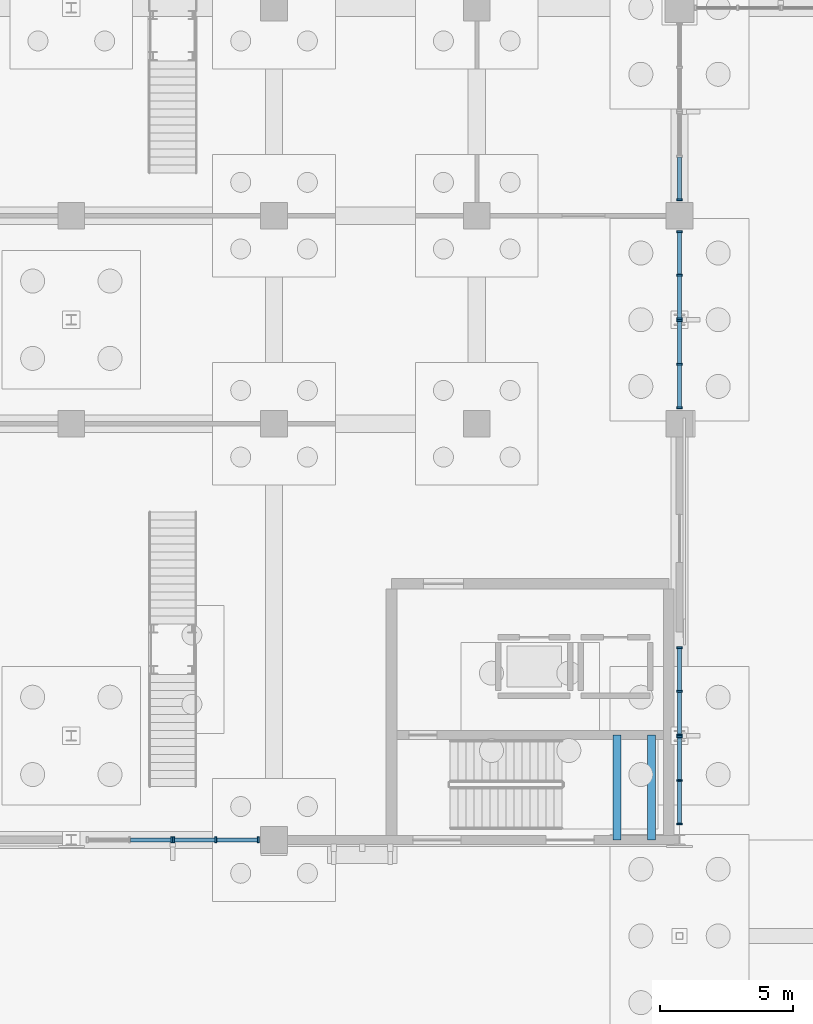
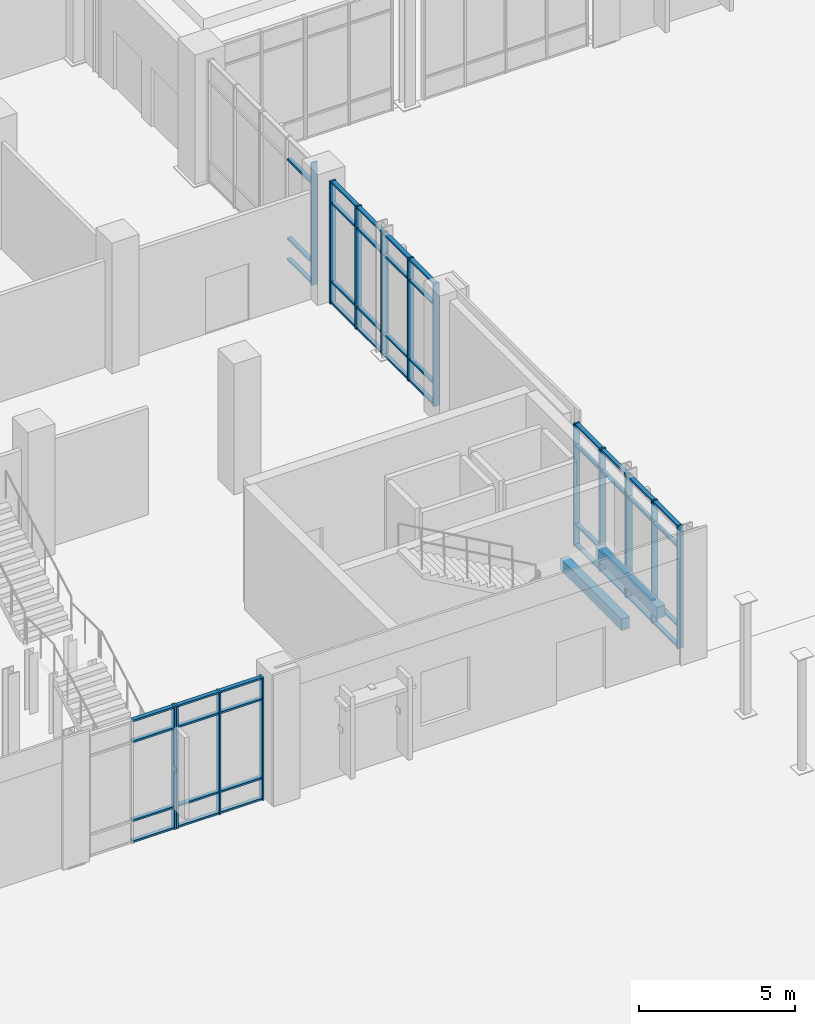
# One storey, part 46 of 94: 64 members, 2 beams, 7 elements without a shape of their own.
"""IFC4 building model written with IfcOpenShell, lengths in metres."""

import ifcopenshell
import ifcopenshell.guid

model = None  # the IFC model being written
_history = None  # IfcOwnerHistory: only IFC2X3 demands one
_inside = {}  # id of a spatial element -> (the spatial element, [elements in it])
_under = {}  # id of a project, library or spatial element -> (it, [spatial elements below it])
_declared = {}  # id of a project -> (the project, [libraries it declares])
_typed = {}  # id of a type object -> (the type object, [elements of that type])
_made_of = {}  # id of a material, layer set ... -> (it, [elements and type objects made of it])


def new_model(schema):
    """Start an empty IFC model of exactly this schema.

    Asked for "IFC4X3", IfcOpenShell would pick the latest addendum, in which some entities
    have other attributes; the version numbers below select the first issue.
    IFC2X3 requires an IfcOwnerHistory on every rooted entity: one is made here for all.
    """
    global model, _history
    if schema == "IFC4X3":
        model = ifcopenshell.file(schema_version=(4, 3, 0, 0))
    else:
        model = ifcopenshell.file(schema=schema)
    _inside.clear()
    _under.clear()
    _declared.clear()
    _typed.clear()
    _made_of.clear()
    _history = None
    if model.schema == "IFC2X3":
        org = make("IfcOrganization", Name="unknown")
        user = make(
            "IfcPersonAndOrganization",
            ThePerson=make("IfcPerson", FamilyName="unknown"),
            TheOrganization=org,
        )
        app = make(
            "IfcApplication",
            ApplicationDeveloper=org,
            Version="unknown",
            ApplicationFullName="unknown",
            ApplicationIdentifier="unknown",
        )
        _history = make(
            "IfcOwnerHistory",
            OwningUser=user,
            OwningApplication=app,
            ChangeAction="ADDED",
            CreationDate=0,
        )
    return model


def make(cls, **values):
    """One entity of the class cls with the attributes given. An attribute that is None is left unset."""
    return model.create_entity(
        cls, **{name: value for name, value in values.items() if value is not None}
    )


def rooted(cls, **values):
    """An entity with a GlobalId (a new one), such as an element, a storey or a relation."""
    return make(cls, GlobalId=ifcopenshell.guid.new(), OwnerHistory=_history, **values)


def si_unit(unit_type, name, prefix=None):
    """IfcSIUnit, for example si_unit("LENGTHUNIT", "METRE", prefix="MILLI")."""
    return make("IfcSIUnit", UnitType=unit_type, Prefix=prefix, Name=name)


def assignment(units):
    """IfcUnitAssignment: the units of a project."""
    return None if units is None else make("IfcUnitAssignment", Units=units)


def point(xyz):
    """IfcCartesianPoint."""
    return None if xyz is None else make("IfcCartesianPoint", Coordinates=xyz)


def direction(xyz):
    """IfcDirection."""
    return None if xyz is None else make("IfcDirection", DirectionRatios=xyz)


def frame(location, z_axis=None, x_axis=None):
    """IfcAxis2Placement3D, a coordinate frame: its origin and axes. An axis left out is left unset."""
    return make(
        "IfcAxis2Placement3D",
        Location=point(location),
        Axis=direction(z_axis),
        RefDirection=direction(x_axis),
    )


def frame_2d(location, x_axis=None):
    """IfcAxis2Placement2D, a coordinate frame in the plane: its origin and x axis."""
    return make(
        "IfcAxis2Placement2D", Location=point(location), RefDirection=direction(x_axis)
    )


def origin():
    """The frame at (0, 0, 0) with its axes left unset."""
    return frame((0.0, 0.0, 0.0))


def origin_2d():
    """The frame at (0, 0) in the plane with its x axis left unset."""
    return frame_2d((0.0, 0.0))


def place(relative_to, where):
    """IfcLocalPlacement: puts the frame where relative to a parent placement (None: the world)."""
    return make(
        "IfcLocalPlacement", PlacementRelTo=relative_to, RelativePlacement=where
    )


def context(
    kind, dimensions, precision=None, world=None, true_north=None, identifier=None
):
    """IfcGeometricRepresentationContext, for example the 3D "Model" context."""
    return make(
        "IfcGeometricRepresentationContext",
        ContextIdentifier=identifier,
        ContextType=kind,
        CoordinateSpaceDimension=dimensions,
        Precision=precision,
        WorldCoordinateSystem=world,
        TrueNorth=true_north,
    )


def subcontext(parent, identifier, kind, view, scale=None):
    """IfcGeometricRepresentationSubContext, for example "Body" below "Model"."""
    return make(
        "IfcGeometricRepresentationSubContext",
        ContextIdentifier=identifier,
        ContextType=kind,
        ParentContext=parent,
        TargetScale=scale,
        TargetView=view,
    )


def project(units=None, contexts=None):
    """IfcProject with its units and contexts."""
    return rooted(
        "IfcProject",
        Name="project",
        RepresentationContexts=contexts,
        UnitsInContext=assignment(units),
    )


def spatial(cls, under=None, at=None, **own):
    """A site, building, storey or space (cls), placed at a placement, below another one or the project."""
    s = rooted(cls, ObjectPlacement=at, **own)
    if under is not None:
        _under.setdefault(under.id(), (under, []))[1].append(s)
    return s


def profile(cls, at=None, kind="AREA", **sizes):
    """A parametric profile (cls). Its sizes go by their IFC names, for example OverallWidth=200.0."""
    return make(cls, ProfileType=kind, Position=at, **sizes)


def rectangle(**sizes):
    """IfcRectangleProfileDef."""
    return profile("IfcRectangleProfileDef", **sizes)


def extrude(swept, where, along, depth):
    """IfcExtrudedAreaSolid: the profile swept, set in the frame where, extruded along a direction by depth."""
    return make(
        "IfcExtrudedAreaSolid",
        SweptArea=swept,
        Position=where,
        ExtrudedDirection=direction(along),
        Depth=depth,
    )


def shape(context_of_items, identifier, shape_type, items):
    """IfcShapeRepresentation: the items that make up one representation, for example the "Body"."""
    return make(
        "IfcShapeRepresentation",
        ContextOfItems=context_of_items,
        RepresentationIdentifier=identifier,
        RepresentationType=shape_type,
        Items=items,
    )


def material(Name=None, Category=None):
    """IfcMaterial."""
    return make("IfcMaterial", Name=Name, Category=Category)


def material_profile(
    of_material, cross_section, Name=None, Category=None, Priority=None
):
    """IfcMaterialProfile: a cross section and its material."""
    return make(
        "IfcMaterialProfile",
        Name=Name,
        Material=of_material,
        Profile=cross_section,
        Priority=Priority,
        Category=Category,
    )


def profile_set(profiles, Name=None, composite=None):
    """IfcMaterialProfileSet."""
    return make(
        "IfcMaterialProfileSet",
        Name=Name,
        MaterialProfiles=profiles,
        CompositeProfile=composite,
    )


def made_of(thing, what):
    """Note that an element or type object is made of a material, layer set ...; save() writes the relation."""
    if what is not None:
        _made_of.setdefault(what.id(), (what, []))[1].append(thing)
    return thing


def type_object(cls, material=None, **own):
    """A type object (cls), such as IfcWallType, which elements share."""
    return made_of(rooted(cls, **own), material)


def element(
    cls,
    number,
    at=None,
    inside=None,
    cuts=None,
    type_object=None,
    material=None,
    context=None,
    identifier="Body",
    shape_type=None,
    held_by="IfcProductDefinitionShape",
    body=None,
    shapes=None,
    **own,
):
    """One element of the class cls, such as IfcWall. Its Tag is "e" and its number.

    at: its placement. inside: the storey or other place that contains it. cuts: it is an
    opening in that element (IfcRelVoidsElement). A single representation is given by context,
    identifier, shape_type and body (its items); several are given by shapes. held_by: the class
    of the entity that holds the representations. save() writes the other relations.
    """
    e = rooted(cls, Tag="e%d" % number, ObjectPlacement=at, **own)
    if body is not None:
        shapes = [shape(context, identifier, shape_type, body)]
    if shapes is not None:
        e.Representation = make(held_by, Representations=shapes)
    if inside is not None:
        _inside.setdefault(inside.id(), (inside, []))[1].append(e)
    if cuts is not None:
        rooted(
            "IfcRelVoidsElement", RelatingBuildingElement=cuts, RelatedOpeningElement=e
        )
    if type_object is not None:
        _typed.setdefault(type_object.id(), (type_object, []))[1].append(e)
    return made_of(e, material)


def aggregate(whole, parts):
    """IfcRelAggregates: a whole, such as a stair, and the parts it consists of."""
    return rooted("IfcRelAggregates", RelatingObject=whole, RelatedObjects=parts)


def save(model, path):
    """Write the relations noted so far, then the file.

    IfcRelAggregates (storeys below a building ...), IfcRelContainedInSpatialStructure (elements
    in a storey), IfcRelDefinesByType, IfcRelAssociatesMaterial and IfcRelDeclares: one each for
    every whole, place, type object, material and project.
    """
    for whole, parts in _under.values():
        aggregate(whole, parts)
    for where, things in _inside.values():
        rooted(
            "IfcRelContainedInSpatialStructure",
            RelatedElements=things,
            RelatingStructure=where,
        )
    for kind, things in _typed.values():
        rooted("IfcRelDefinesByType", RelatedObjects=things, RelatingType=kind)
    for what, things in _made_of.values():
        rooted("IfcRelAssociatesMaterial", RelatedObjects=things, RelatingMaterial=what)
    for by, libraries in _declared.values():
        rooted("IfcRelDeclares", RelatingContext=by, RelatedDefinitions=libraries)
    model.write(path)


model = new_model("IFC4")

# Units and contexts
model_context = context("Model", 3, precision=1e-05, world=origin(), true_north=direction((0.0, 1.0)))
body_context = subcontext(model_context, "Body", "Model", "MODEL_VIEW")
ifc_project = project(units=[si_unit("LENGTHUNIT", "METRE"), si_unit("AREAUNIT", "SQUARE_METRE"), si_unit("VOLUMEUNIT", "CUBIC_METRE"), si_unit("PLANEANGLEUNIT", "RADIAN"), si_unit("MASSUNIT", "GRAM", prefix="KILO")], contexts=[model_context])

# Site, building, storey
site_placement = place(None, origin())
site = spatial("IfcSite", under=ifc_project, at=site_placement, CompositionType="ELEMENT")
building_placement = place(site_placement, origin())
building = spatial("IfcBuilding", under=site, at=building_placement, Name="Vervanel Yard Central Library", CompositionType="ELEMENT")
storey_placement = place(building_placement, origin())
storey = spatial("IfcBuildingStorey", under=building, at=storey_placement, Name="L00", CompositionType="ELEMENT", Elevation=0.0)

# Beams
ifc_material_1 = material(Name="Concrete C40/50", Category="concrete")
ifc_material_profile_1 = material_profile(ifc_material_1, rectangle(XDim=0.300048828125, YDim=0.449951171875, at=origin_2d()), Name="RC 300x450", Category="concrete")
ifc_profile_set_1 = profile_set([ifc_material_profile_1], Name="Concrete C40/50")
beam_type = type_object("IfcBeamType", Name="Concrete Opening Lintel 300x450", PredefinedType="LINTEL", material=ifc_profile_set_1)
for number, where, z_axis, x_axis, name in (
    (1, (143.64990234375, 43.199951171875, 2.125), (0.0, 1.0, 0.0), (-1.0, 0.0, 0.0), "L00 CORE-E Stair Landing Beam 35"),
    (2, (144.949951171875, 43.199951171875, 2.125), (0.0, 1.0, 0.0), (-1.0, 0.0, 0.0), "L00 CORE-E Stair Landing Beam 36"),
):
    element("IfcBeam", number, at=place(storey_placement, frame(where, z_axis=z_axis, x_axis=x_axis)), inside=storey, type_object=beam_type, Name=name, PredefinedType="LINTEL", context=body_context, shape_type="SweptSolid", body=[
        extrude(rectangle(XDim=0.300048828125, YDim=0.449951171875, at=origin_2d()), origin(), (0.0, 0.0, 1.0), 3.93505859375),
    ])

# Curtain wall, member
ifc_material_2 = material(Name="Thermally broken anodized aluminium 6063-T6", Category="aluminium")
curtain_wall_type_1 = type_object("IfcCurtainWallType", Name="Reading Hall Full-Height Curtain Wall", PredefinedType="NOTDEFINED", material=ifc_material_2)
curtain_wall_1_placement = place(storey_placement, origin())
curtain_wall_1 = element("IfcCurtainWall", 3, at=curtain_wall_1_placement, inside=storey, type_object=curtain_wall_type_1, Name="L00 Reading Hall Full-Height Curtain Wall CWR-L00-058", PredefinedType="NOTDEFINED")
ifc_material_profile_2 = material_profile(ifc_material_2, rectangle(XDim=0.070068359375, YDim=0.219970703125, at=origin_2d()), Name="ALU 70x220", Category="aluminium")
ifc_profile_set_2 = profile_set([ifc_material_profile_2], Name="Thermally broken anodized aluminium 6063-T6")
member_type_1 = type_object("IfcMemberType", Name="Reading Hall Deep Mullion 70x220", PredefinedType="MULLION", material=ifc_profile_set_2)
member_1_placement = place(storey_placement, frame((126.965087890625, 43.199951171875, 0.0), z_axis=(0.0, 0.0, 1.0), x_axis=(1.0, 0.0, 0.0)))
member_1 = element("IfcMember", 4, at=member_1_placement, type_object=member_type_1, Name="CWR-L00-058 Mullion 3", PredefinedType="MULLION", context=body_context, shape_type="SweptSolid", body=[
    extrude(rectangle(XDim=0.070068359375, YDim=0.219970703125, at=origin_2d()), origin(), (0.0, 0.0, 1.0), 4.780029296875),
])

# Curtain wall, members
curtain_wall_2_placement = place(storey_placement, origin())
curtain_wall_2 = element("IfcCurtainWall", 5, at=curtain_wall_2_placement, inside=storey, type_object=curtain_wall_type_1, Name="L00 Reading Hall Full-Height Curtain Wall CWR-L00-059", PredefinedType="NOTDEFINED")
member_2_placement = place(storey_placement, frame((127.034912109375, 43.199951171875, 0.0), z_axis=(0.0, 0.0, 1.0), x_axis=(1.0, 0.0, 0.0)))
member_2 = element("IfcMember", 6, at=member_2_placement, type_object=member_type_1, Name="CWR-L00-059 Mullion 1", PredefinedType="MULLION", context=body_context, shape_type="SweptSolid", body=[
    extrude(rectangle(XDim=0.070068359375, YDim=0.219970703125, at=origin_2d()), origin(), (0.0, 0.0, 1.0), 4.780029296875),
])
member_3_placement = place(storey_placement, frame((128.6201171875, 43.199951171875, 0.0), z_axis=(0.0, 0.0, 1.0), x_axis=(1.0, 0.0, 0.0)))
member_3 = element("IfcMember", 7, at=member_3_placement, type_object=member_type_1, Name="CWR-L00-059 Mullion 2", PredefinedType="MULLION", context=body_context, shape_type="SweptSolid", body=[
    extrude(rectangle(XDim=0.070068359375, YDim=0.219970703125, at=origin_2d()), origin(), (0.0, 0.0, 1.0), 4.780029296875),
])
member_4_placement = place(storey_placement, frame((130.205078125, 43.199951171875, 0.0), z_axis=(0.0, 0.0, 1.0), x_axis=(1.0, 0.0, 0.0)))
member_4 = element("IfcMember", 8, at=member_4_placement, type_object=member_type_1, Name="CWR-L00-059 Mullion 3", PredefinedType="MULLION", context=body_context, shape_type="SweptSolid", body=[
    extrude(rectangle(XDim=0.070068359375, YDim=0.219970703125, at=origin_2d()), origin(), (0.0, 0.0, 1.0), 4.780029296875),
])

curtain_wall_type_2 = type_object("IfcCurtainWallType", Name="Prow Cantilever Glazed Curtain Wall", PredefinedType="NOTDEFINED", material=ifc_material_2)
curtain_wall_3_placement = place(storey_placement, origin())
curtain_wall_3 = element("IfcCurtainWall", 9, at=curtain_wall_3_placement, inside=storey, type_object=curtain_wall_type_2, Name="L00 Prow Cantilever Glazed Curtain Wall CWR-L00-118", PredefinedType="NOTDEFINED")
member_5_placement = place(storey_placement, frame((146.0, 43.794921875, 0.0), z_axis=(0.0, 0.0, 1.0), x_axis=(0.0, 1.0, 0.0)))
member_5 = element("IfcMember", 10, at=member_5_placement, type_object=member_type_1, Name="CWR-L00-118 Mullion 1", PredefinedType="MULLION", context=body_context, shape_type="SweptSolid", body=[
    extrude(rectangle(XDim=0.070068359375, YDim=0.219970703125, at=origin_2d()), origin(), (0.0, 0.0, 1.0), 4.780029296875),
])
member_6_placement = place(storey_placement, frame((146.0, 45.429931640625, 0.0), z_axis=(0.0, 0.0, 1.0), x_axis=(0.0, 1.0, 0.0)))
member_6 = element("IfcMember", 11, at=member_6_placement, type_object=member_type_1, Name="CWR-L00-118 Mullion 2", PredefinedType="MULLION", context=body_context, shape_type="SweptSolid", body=[
    extrude(rectangle(XDim=0.070068359375, YDim=0.219970703125, at=origin_2d()), origin(), (0.0, 0.0, 1.0), 4.780029296875),
])
member_7_placement = place(storey_placement, frame((146.0, 47.06494140625, 0.0), z_axis=(0.0, 0.0, 1.0), x_axis=(0.0, 1.0, 0.0)))
member_7 = element("IfcMember", 12, at=member_7_placement, type_object=member_type_1, Name="CWR-L00-118 Mullion 3", PredefinedType="MULLION", context=body_context, shape_type="SweptSolid", body=[
    extrude(rectangle(XDim=0.070068359375, YDim=0.219970703125, at=origin_2d()), origin(), (0.0, 0.0, 1.0), 4.780029296875),
])

curtain_wall_4_placement = place(storey_placement, origin())
curtain_wall_4 = element("IfcCurtainWall", 13, at=curtain_wall_4_placement, inside=storey, type_object=curtain_wall_type_2, Name="L00 Prow Cantilever Glazed Curtain Wall CWR-L00-119", PredefinedType="NOTDEFINED")
member_8_placement = place(storey_placement, frame((146.0, 47.135009765625, 0.0), z_axis=(0.0, 0.0, 1.0), x_axis=(0.0, 1.0, 0.0)))
member_8 = element("IfcMember", 14, at=member_8_placement, type_object=member_type_1, Name="CWR-L00-119 Mullion 1", PredefinedType="MULLION", context=body_context, shape_type="SweptSolid", body=[
    extrude(rectangle(XDim=0.070068359375, YDim=0.219970703125, at=origin_2d()), origin(), (0.0, 0.0, 1.0), 4.780029296875),
])
member_9_placement = place(storey_placement, frame((146.0, 48.77001953125, 0.0), z_axis=(0.0, 0.0, 1.0), x_axis=(0.0, 1.0, 0.0)))
member_9 = element("IfcMember", 15, at=member_9_placement, type_object=member_type_1, Name="CWR-L00-119 Mullion 2", PredefinedType="MULLION", context=body_context, shape_type="SweptSolid", body=[
    extrude(rectangle(XDim=0.070068359375, YDim=0.219970703125, at=origin_2d()), origin(), (0.0, 0.0, 1.0), 4.780029296875),
])
member_10_placement = place(storey_placement, frame((146.0, 50.405029296875, 0.0), z_axis=(0.0, 0.0, 1.0), x_axis=(0.0, 1.0, 0.0)))
member_10 = element("IfcMember", 16, at=member_10_placement, type_object=member_type_1, Name="CWR-L00-119 Mullion 3", PredefinedType="MULLION", context=body_context, shape_type="SweptSolid", body=[
    extrude(rectangle(XDim=0.070068359375, YDim=0.219970703125, at=origin_2d()), origin(), (0.0, 0.0, 1.0), 4.780029296875),
])

curtain_wall_5_placement = place(storey_placement, origin())
curtain_wall_5 = element("IfcCurtainWall", 17, at=curtain_wall_5_placement, inside=storey, type_object=curtain_wall_type_2, Name="L00 Prow Cantilever Glazed Curtain Wall CWR-L00-120", PredefinedType="NOTDEFINED")
member_11_placement = place(storey_placement, frame((146.0, 59.39501953125, 0.0), z_axis=(0.0, 0.0, 1.0), x_axis=(0.0, 1.0, 0.0)))
member_11 = element("IfcMember", 18, at=member_11_placement, type_object=member_type_1, Name="CWR-L00-120 Mullion 1", PredefinedType="MULLION", context=body_context, shape_type="SweptSolid", body=[
    extrude(rectangle(XDim=0.070068359375, YDim=0.219970703125, at=origin_2d()), origin(), (0.0, 0.0, 1.0), 4.780029296875),
])
member_12_placement = place(storey_placement, frame((146.0, 61.030029296875, 0.0), z_axis=(0.0, 0.0, 1.0), x_axis=(0.0, 1.0, 0.0)))
member_12 = element("IfcMember", 19, at=member_12_placement, type_object=member_type_1, Name="CWR-L00-120 Mullion 2", PredefinedType="MULLION", context=body_context, shape_type="SweptSolid", body=[
    extrude(rectangle(XDim=0.070068359375, YDim=0.219970703125, at=origin_2d()), origin(), (0.0, 0.0, 1.0), 4.780029296875),
])
member_13_placement = place(storey_placement, frame((146.0, 62.6650390625, 0.0), z_axis=(0.0, 0.0, 1.0), x_axis=(0.0, 1.0, 0.0)))
member_13 = element("IfcMember", 20, at=member_13_placement, type_object=member_type_1, Name="CWR-L00-120 Mullion 3", PredefinedType="MULLION", context=body_context, shape_type="SweptSolid", body=[
    extrude(rectangle(XDim=0.070068359375, YDim=0.219970703125, at=origin_2d()), origin(), (0.0, 0.0, 1.0), 4.780029296875),
])

curtain_wall_6_placement = place(storey_placement, origin())
curtain_wall_6 = element("IfcCurtainWall", 21, at=curtain_wall_6_placement, inside=storey, type_object=curtain_wall_type_2, Name="L00 Prow Cantilever Glazed Curtain Wall CWR-L00-121", PredefinedType="NOTDEFINED")
member_14_placement = place(storey_placement, frame((146.0, 62.735107421875, 0.0), z_axis=(0.0, 0.0, 1.0), x_axis=(0.0, 1.0, 0.0)))
member_14 = element("IfcMember", 22, at=member_14_placement, type_object=member_type_1, Name="CWR-L00-121 Mullion 1", PredefinedType="MULLION", context=body_context, shape_type="SweptSolid", body=[
    extrude(rectangle(XDim=0.070068359375, YDim=0.219970703125, at=origin_2d()), origin(), (0.0, 0.0, 1.0), 4.780029296875),
])
member_15_placement = place(storey_placement, frame((146.0, 64.3701171875, 0.0), z_axis=(0.0, 0.0, 1.0), x_axis=(0.0, 1.0, 0.0)))
member_15 = element("IfcMember", 23, at=member_15_placement, type_object=member_type_1, Name="CWR-L00-121 Mullion 2", PredefinedType="MULLION", context=body_context, shape_type="SweptSolid", body=[
    extrude(rectangle(XDim=0.070068359375, YDim=0.219970703125, at=origin_2d()), origin(), (0.0, 0.0, 1.0), 4.780029296875),
])
member_16_placement = place(storey_placement, frame((146.0, 66.0048828125, 0.0), z_axis=(0.0, 0.0, 1.0), x_axis=(0.0, 1.0, 0.0)))
member_16 = element("IfcMember", 24, at=member_16_placement, type_object=member_type_1, Name="CWR-L00-121 Mullion 3", PredefinedType="MULLION", context=body_context, shape_type="SweptSolid", body=[
    extrude(rectangle(XDim=0.070068359375, YDim=0.219970703125, at=origin_2d()), origin(), (0.0, 0.0, 1.0), 4.780029296875),
])

# Curtain wall, member
curtain_wall_7_placement = place(storey_placement, origin())
curtain_wall_7 = element("IfcCurtainWall", 25, at=curtain_wall_7_placement, inside=storey, type_object=curtain_wall_type_2, Name="L00 Prow Cantilever Glazed Curtain Wall CWR-L00-122", PredefinedType="NOTDEFINED")
member_17_placement = place(storey_placement, frame((146.0, 67.195068359375, 0.0), z_axis=(0.0, 0.0, 1.0), x_axis=(0.0, 1.0, 0.0)))
member_17 = element("IfcMember", 26, at=member_17_placement, type_object=member_type_1, Name="CWR-L00-122 Mullion 1", PredefinedType="MULLION", context=body_context, shape_type="SweptSolid", body=[
    extrude(rectangle(XDim=0.070068359375, YDim=0.219970703125, at=origin_2d()), origin(), (0.0, 0.0, 1.0), 4.780029296875),
])

# Member
ifc_material_profile_3 = material_profile(ifc_material_2, rectangle(XDim=0.070068359375, YDim=0.14990234375, at=origin_2d()), Name="ALU 70x150", Category="aluminium")
ifc_profile_set_3 = profile_set([ifc_material_profile_3], Name="Thermally broken anodized aluminium 6063-T6")
member_type_2 = type_object("IfcMemberType", Name="Reading Hall Deep Transom 70x150", PredefinedType="NOTDEFINED", material=ifc_profile_set_3)
member_18_placement = place(storey_placement, frame((125.4150390625, 43.199951171875, 0.034912109375), z_axis=(1.0, 0.0, 0.0), x_axis=(0.0, 0.0, 1.0)))
member_18 = element("IfcMember", 27, at=member_18_placement, type_object=member_type_2, Name="CWR-L00-058 Transom B2-T1", ObjectType="TRANSOM", PredefinedType="USERDEFINED", context=body_context, shape_type="SweptSolid", body=[
    extrude(rectangle(XDim=0.070068359375, YDim=0.14990234375, at=origin_2d()), origin(), (0.0, 0.0, 1.0), 1.514892578125),
])

member_19_placement = place(storey_placement, frame((125.4150390625, 43.199951171875, 0.85009765625), z_axis=(1.0, 0.0, 0.0), x_axis=(0.0, 0.0, 1.0)))
member_19 = element("IfcMember", 28, at=member_19_placement, type_object=member_type_2, Name="CWR-L00-058 Transom B2-T2", ObjectType="TRANSOM", PredefinedType="USERDEFINED", context=body_context, shape_type="SweptSolid", body=[
    extrude(rectangle(XDim=0.070068359375, YDim=0.14990234375, at=origin_2d()), origin(), (0.0, 0.0, 1.0), 1.514892578125),
])

member_20_placement = place(storey_placement, frame((125.4150390625, 43.199951171875, 3.929931640625), z_axis=(1.0, 0.0, 0.0), x_axis=(0.0, 0.0, 1.0)))
member_20 = element("IfcMember", 29, at=member_20_placement, type_object=member_type_2, Name="CWR-L00-058 Transom B2-T3", ObjectType="TRANSOM", PredefinedType="USERDEFINED", context=body_context, shape_type="SweptSolid", body=[
    extrude(rectangle(XDim=0.070068359375, YDim=0.14990234375, at=origin_2d()), origin(), (0.0, 0.0, 1.0), 1.514892578125),
])

member_21_placement = place(storey_placement, frame((125.4150390625, 43.199951171875, 4.7451171875), z_axis=(1.0, 0.0, 0.0), x_axis=(0.0, 0.0, 1.0)))
member_21 = element("IfcMember", 30, at=member_21_placement, type_object=member_type_2, Name="CWR-L00-058 Transom B2-T4", ObjectType="TRANSOM", PredefinedType="USERDEFINED", context=body_context, shape_type="SweptSolid", body=[
    extrude(rectangle(XDim=0.070068359375, YDim=0.14990234375, at=origin_2d()), origin(), (0.0, 0.0, 1.0), 1.514892578125),
])

aggregate(curtain_wall_1, [member_1, member_18, member_19, member_20, member_21])

member_22_placement = place(storey_placement, frame((127.070068359375, 43.199951171875, 0.034912109375), z_axis=(1.0, 0.0, 0.0), x_axis=(0.0, 0.0, 1.0)))
member_22 = element("IfcMember", 31, at=member_22_placement, type_object=member_type_2, Name="CWR-L00-059 Transom B1-T1", ObjectType="TRANSOM", PredefinedType="USERDEFINED", context=body_context, shape_type="SweptSolid", body=[
    extrude(rectangle(XDim=0.070068359375, YDim=0.14990234375, at=origin_2d()), origin(), (0.0, 0.0, 1.0), 1.514892578125),
])

member_23_placement = place(storey_placement, frame((127.070068359375, 43.199951171875, 0.85009765625), z_axis=(1.0, 0.0, 0.0), x_axis=(0.0, 0.0, 1.0)))
member_23 = element("IfcMember", 32, at=member_23_placement, type_object=member_type_2, Name="CWR-L00-059 Transom B1-T2", ObjectType="TRANSOM", PredefinedType="USERDEFINED", context=body_context, shape_type="SweptSolid", body=[
    extrude(rectangle(XDim=0.070068359375, YDim=0.14990234375, at=origin_2d()), origin(), (0.0, 0.0, 1.0), 1.514892578125),
])

member_24_placement = place(storey_placement, frame((127.070068359375, 43.199951171875, 3.929931640625), z_axis=(1.0, 0.0, 0.0), x_axis=(0.0, 0.0, 1.0)))
member_24 = element("IfcMember", 33, at=member_24_placement, type_object=member_type_2, Name="CWR-L00-059 Transom B1-T3", ObjectType="TRANSOM", PredefinedType="USERDEFINED", context=body_context, shape_type="SweptSolid", body=[
    extrude(rectangle(XDim=0.070068359375, YDim=0.14990234375, at=origin_2d()), origin(), (0.0, 0.0, 1.0), 1.514892578125),
])

member_25_placement = place(storey_placement, frame((127.070068359375, 43.199951171875, 4.7451171875), z_axis=(1.0, 0.0, 0.0), x_axis=(0.0, 0.0, 1.0)))
member_25 = element("IfcMember", 34, at=member_25_placement, type_object=member_type_2, Name="CWR-L00-059 Transom B1-T4", ObjectType="TRANSOM", PredefinedType="USERDEFINED", context=body_context, shape_type="SweptSolid", body=[
    extrude(rectangle(XDim=0.070068359375, YDim=0.14990234375, at=origin_2d()), origin(), (0.0, 0.0, 1.0), 1.514892578125),
])

member_26_placement = place(storey_placement, frame((128.655029296875, 43.199951171875, 0.034912109375), z_axis=(1.0, 0.0, 0.0), x_axis=(0.0, 0.0, 1.0)))
member_26 = element("IfcMember", 35, at=member_26_placement, type_object=member_type_2, Name="CWR-L00-059 Transom B2-T1", ObjectType="TRANSOM", PredefinedType="USERDEFINED", context=body_context, shape_type="SweptSolid", body=[
    extrude(rectangle(XDim=0.070068359375, YDim=0.14990234375, at=origin_2d()), origin(), (0.0, 0.0, 1.0), 1.514892578125),
])

member_27_placement = place(storey_placement, frame((128.655029296875, 43.199951171875, 0.85009765625), z_axis=(1.0, 0.0, 0.0), x_axis=(0.0, 0.0, 1.0)))
member_27 = element("IfcMember", 36, at=member_27_placement, type_object=member_type_2, Name="CWR-L00-059 Transom B2-T2", ObjectType="TRANSOM", PredefinedType="USERDEFINED", context=body_context, shape_type="SweptSolid", body=[
    extrude(rectangle(XDim=0.070068359375, YDim=0.14990234375, at=origin_2d()), origin(), (0.0, 0.0, 1.0), 1.514892578125),
])

member_28_placement = place(storey_placement, frame((128.655029296875, 43.199951171875, 3.929931640625), z_axis=(1.0, 0.0, 0.0), x_axis=(0.0, 0.0, 1.0)))
member_28 = element("IfcMember", 37, at=member_28_placement, type_object=member_type_2, Name="CWR-L00-059 Transom B2-T3", ObjectType="TRANSOM", PredefinedType="USERDEFINED", context=body_context, shape_type="SweptSolid", body=[
    extrude(rectangle(XDim=0.070068359375, YDim=0.14990234375, at=origin_2d()), origin(), (0.0, 0.0, 1.0), 1.514892578125),
])

member_29_placement = place(storey_placement, frame((128.655029296875, 43.199951171875, 4.7451171875), z_axis=(1.0, 0.0, 0.0), x_axis=(0.0, 0.0, 1.0)))
member_29 = element("IfcMember", 38, at=member_29_placement, type_object=member_type_2, Name="CWR-L00-059 Transom B2-T4", ObjectType="TRANSOM", PredefinedType="USERDEFINED", context=body_context, shape_type="SweptSolid", body=[
    extrude(rectangle(XDim=0.070068359375, YDim=0.14990234375, at=origin_2d()), origin(), (0.0, 0.0, 1.0), 1.514892578125),
])

aggregate(curtain_wall_2, [member_2, member_3, member_4, member_22, member_23, member_24, member_25, member_26, member_27, member_28, member_29])

member_30_placement = place(storey_placement, frame((146.0, 43.830078125, 0.034912109375), z_axis=(0.0, 1.0, 0.0), x_axis=(0.0, 0.0, 1.0)))
member_30 = element("IfcMember", 39, at=member_30_placement, type_object=member_type_2, Name="CWR-L00-118 Transom B1-T1", ObjectType="TRANSOM", PredefinedType="USERDEFINED", context=body_context, shape_type="SweptSolid", body=[
    extrude(rectangle(XDim=0.070068359375, YDim=0.14990234375, at=origin_2d()), origin(), (0.0, 0.0, 1.0), 1.56494140625),
])

member_31_placement = place(storey_placement, frame((146.0, 43.830078125, 0.85009765625), z_axis=(0.0, 1.0, 0.0), x_axis=(0.0, 0.0, 1.0)))
member_31 = element("IfcMember", 40, at=member_31_placement, type_object=member_type_2, Name="CWR-L00-118 Transom B1-T2", ObjectType="TRANSOM", PredefinedType="USERDEFINED", context=body_context, shape_type="SweptSolid", body=[
    extrude(rectangle(XDim=0.070068359375, YDim=0.14990234375, at=origin_2d()), origin(), (0.0, 0.0, 1.0), 1.56494140625),
])

member_32_placement = place(storey_placement, frame((146.0, 43.830078125, 3.929931640625), z_axis=(0.0, 1.0, 0.0), x_axis=(0.0, 0.0, 1.0)))
member_32 = element("IfcMember", 41, at=member_32_placement, type_object=member_type_2, Name="CWR-L00-118 Transom B1-T3", ObjectType="TRANSOM", PredefinedType="USERDEFINED", context=body_context, shape_type="SweptSolid", body=[
    extrude(rectangle(XDim=0.070068359375, YDim=0.14990234375, at=origin_2d()), origin(), (0.0, 0.0, 1.0), 1.56494140625),
])

member_33_placement = place(storey_placement, frame((146.0, 43.830078125, 4.7451171875), z_axis=(0.0, 1.0, 0.0), x_axis=(0.0, 0.0, 1.0)))
member_33 = element("IfcMember", 42, at=member_33_placement, type_object=member_type_2, Name="CWR-L00-118 Transom B1-T4", ObjectType="TRANSOM", PredefinedType="USERDEFINED", context=body_context, shape_type="SweptSolid", body=[
    extrude(rectangle(XDim=0.070068359375, YDim=0.14990234375, at=origin_2d()), origin(), (0.0, 0.0, 1.0), 1.56494140625),
])

member_34_placement = place(storey_placement, frame((146.0, 45.465087890625, 0.034912109375), z_axis=(0.0, 1.0, 0.0), x_axis=(0.0, 0.0, 1.0)))
member_34 = element("IfcMember", 43, at=member_34_placement, type_object=member_type_2, Name="CWR-L00-118 Transom B2-T1", ObjectType="TRANSOM", PredefinedType="USERDEFINED", context=body_context, shape_type="SweptSolid", body=[
    extrude(rectangle(XDim=0.070068359375, YDim=0.14990234375, at=origin_2d()), origin(), (0.0, 0.0, 1.0), 1.56494140625),
])

member_35_placement = place(storey_placement, frame((146.0, 45.465087890625, 0.85009765625), z_axis=(0.0, 1.0, 0.0), x_axis=(0.0, 0.0, 1.0)))
member_35 = element("IfcMember", 44, at=member_35_placement, type_object=member_type_2, Name="CWR-L00-118 Transom B2-T2", ObjectType="TRANSOM", PredefinedType="USERDEFINED", context=body_context, shape_type="SweptSolid", body=[
    extrude(rectangle(XDim=0.070068359375, YDim=0.14990234375, at=origin_2d()), origin(), (0.0, 0.0, 1.0), 1.56494140625),
])

member_36_placement = place(storey_placement, frame((146.0, 45.465087890625, 3.929931640625), z_axis=(0.0, 1.0, 0.0), x_axis=(0.0, 0.0, 1.0)))
member_36 = element("IfcMember", 45, at=member_36_placement, type_object=member_type_2, Name="CWR-L00-118 Transom B2-T3", ObjectType="TRANSOM", PredefinedType="USERDEFINED", context=body_context, shape_type="SweptSolid", body=[
    extrude(rectangle(XDim=0.070068359375, YDim=0.14990234375, at=origin_2d()), origin(), (0.0, 0.0, 1.0), 1.56494140625),
])

member_37_placement = place(storey_placement, frame((146.0, 45.465087890625, 4.7451171875), z_axis=(0.0, 1.0, 0.0), x_axis=(0.0, 0.0, 1.0)))
member_37 = element("IfcMember", 46, at=member_37_placement, type_object=member_type_2, Name="CWR-L00-118 Transom B2-T4", ObjectType="TRANSOM", PredefinedType="USERDEFINED", context=body_context, shape_type="SweptSolid", body=[
    extrude(rectangle(XDim=0.070068359375, YDim=0.14990234375, at=origin_2d()), origin(), (0.0, 0.0, 1.0), 1.56494140625),
])

aggregate(curtain_wall_3, [member_5, member_6, member_7, member_30, member_31, member_32, member_33, member_34, member_35, member_36, member_37])

member_38_placement = place(storey_placement, frame((146.0, 47.169921875, 0.034912109375), z_axis=(0.0, 1.0, 0.0), x_axis=(0.0, 0.0, 1.0)))
member_38 = element("IfcMember", 47, at=member_38_placement, type_object=member_type_2, Name="CWR-L00-119 Transom B1-T1", ObjectType="TRANSOM", PredefinedType="USERDEFINED", context=body_context, shape_type="SweptSolid", body=[
    extrude(rectangle(XDim=0.070068359375, YDim=0.14990234375, at=origin_2d()), origin(), (0.0, 0.0, 1.0), 1.565185546875),
])

member_39_placement = place(storey_placement, frame((146.0, 47.169921875, 0.85009765625), z_axis=(0.0, 1.0, 0.0), x_axis=(0.0, 0.0, 1.0)))
member_39 = element("IfcMember", 48, at=member_39_placement, type_object=member_type_2, Name="CWR-L00-119 Transom B1-T2", ObjectType="TRANSOM", PredefinedType="USERDEFINED", context=body_context, shape_type="SweptSolid", body=[
    extrude(rectangle(XDim=0.070068359375, YDim=0.14990234375, at=origin_2d()), origin(), (0.0, 0.0, 1.0), 1.565185546875),
])

member_40_placement = place(storey_placement, frame((146.0, 47.169921875, 3.929931640625), z_axis=(0.0, 1.0, 0.0), x_axis=(0.0, 0.0, 1.0)))
member_40 = element("IfcMember", 49, at=member_40_placement, type_object=member_type_2, Name="CWR-L00-119 Transom B1-T3", ObjectType="TRANSOM", PredefinedType="USERDEFINED", context=body_context, shape_type="SweptSolid", body=[
    extrude(rectangle(XDim=0.070068359375, YDim=0.14990234375, at=origin_2d()), origin(), (0.0, 0.0, 1.0), 1.565185546875),
])

member_41_placement = place(storey_placement, frame((146.0, 47.169921875, 4.7451171875), z_axis=(0.0, 1.0, 0.0), x_axis=(0.0, 0.0, 1.0)))
member_41 = element("IfcMember", 50, at=member_41_placement, type_object=member_type_2, Name="CWR-L00-119 Transom B1-T4", ObjectType="TRANSOM", PredefinedType="USERDEFINED", context=body_context, shape_type="SweptSolid", body=[
    extrude(rectangle(XDim=0.070068359375, YDim=0.14990234375, at=origin_2d()), origin(), (0.0, 0.0, 1.0), 1.565185546875),
])

member_42_placement = place(storey_placement, frame((146.0, 48.804931640625, 0.034912109375), z_axis=(0.0, 1.0, 0.0), x_axis=(0.0, 0.0, 1.0)))
member_42 = element("IfcMember", 51, at=member_42_placement, type_object=member_type_2, Name="CWR-L00-119 Transom B2-T1", ObjectType="TRANSOM", PredefinedType="USERDEFINED", context=body_context, shape_type="SweptSolid", body=[
    extrude(rectangle(XDim=0.070068359375, YDim=0.14990234375, at=origin_2d()), origin(), (0.0, 0.0, 1.0), 1.565185546875),
])

member_43_placement = place(storey_placement, frame((146.0, 48.804931640625, 0.85009765625), z_axis=(0.0, 1.0, 0.0), x_axis=(0.0, 0.0, 1.0)))
member_43 = element("IfcMember", 52, at=member_43_placement, type_object=member_type_2, Name="CWR-L00-119 Transom B2-T2", ObjectType="TRANSOM", PredefinedType="USERDEFINED", context=body_context, shape_type="SweptSolid", body=[
    extrude(rectangle(XDim=0.070068359375, YDim=0.14990234375, at=origin_2d()), origin(), (0.0, 0.0, 1.0), 1.565185546875),
])

member_44_placement = place(storey_placement, frame((146.0, 48.804931640625, 3.929931640625), z_axis=(0.0, 1.0, 0.0), x_axis=(0.0, 0.0, 1.0)))
member_44 = element("IfcMember", 53, at=member_44_placement, type_object=member_type_2, Name="CWR-L00-119 Transom B2-T3", ObjectType="TRANSOM", PredefinedType="USERDEFINED", context=body_context, shape_type="SweptSolid", body=[
    extrude(rectangle(XDim=0.070068359375, YDim=0.14990234375, at=origin_2d()), origin(), (0.0, 0.0, 1.0), 1.565185546875),
])

member_45_placement = place(storey_placement, frame((146.0, 48.804931640625, 4.7451171875), z_axis=(0.0, 1.0, 0.0), x_axis=(0.0, 0.0, 1.0)))
member_45 = element("IfcMember", 54, at=member_45_placement, type_object=member_type_2, Name="CWR-L00-119 Transom B2-T4", ObjectType="TRANSOM", PredefinedType="USERDEFINED", context=body_context, shape_type="SweptSolid", body=[
    extrude(rectangle(XDim=0.070068359375, YDim=0.14990234375, at=origin_2d()), origin(), (0.0, 0.0, 1.0), 1.565185546875),
])

aggregate(curtain_wall_4, [member_8, member_9, member_10, member_38, member_39, member_40, member_41, member_42, member_43, member_44, member_45])

member_46_placement = place(storey_placement, frame((146.0, 59.429931640625, 0.034912109375), z_axis=(0.0, 1.0, 0.0), x_axis=(0.0, 0.0, 1.0)))
member_46 = element("IfcMember", 55, at=member_46_placement, type_object=member_type_2, Name="CWR-L00-120 Transom B1-T1", ObjectType="TRANSOM", PredefinedType="USERDEFINED", context=body_context, shape_type="SweptSolid", body=[
    extrude(rectangle(XDim=0.070068359375, YDim=0.14990234375, at=origin_2d()), origin(), (0.0, 0.0, 1.0), 1.565185546875),
])

member_47_placement = place(storey_placement, frame((146.0, 59.429931640625, 0.85009765625), z_axis=(0.0, 1.0, 0.0), x_axis=(0.0, 0.0, 1.0)))
member_47 = element("IfcMember", 56, at=member_47_placement, type_object=member_type_2, Name="CWR-L00-120 Transom B1-T2", ObjectType="TRANSOM", PredefinedType="USERDEFINED", context=body_context, shape_type="SweptSolid", body=[
    extrude(rectangle(XDim=0.070068359375, YDim=0.14990234375, at=origin_2d()), origin(), (0.0, 0.0, 1.0), 1.565185546875),
])

member_48_placement = place(storey_placement, frame((146.0, 59.429931640625, 3.929931640625), z_axis=(0.0, 1.0, 0.0), x_axis=(0.0, 0.0, 1.0)))
member_48 = element("IfcMember", 57, at=member_48_placement, type_object=member_type_2, Name="CWR-L00-120 Transom B1-T3", ObjectType="TRANSOM", PredefinedType="USERDEFINED", context=body_context, shape_type="SweptSolid", body=[
    extrude(rectangle(XDim=0.070068359375, YDim=0.14990234375, at=origin_2d()), origin(), (0.0, 0.0, 1.0), 1.565185546875),
])

member_49_placement = place(storey_placement, frame((146.0, 59.429931640625, 4.7451171875), z_axis=(0.0, 1.0, 0.0), x_axis=(0.0, 0.0, 1.0)))
member_49 = element("IfcMember", 58, at=member_49_placement, type_object=member_type_2, Name="CWR-L00-120 Transom B1-T4", ObjectType="TRANSOM", PredefinedType="USERDEFINED", context=body_context, shape_type="SweptSolid", body=[
    extrude(rectangle(XDim=0.070068359375, YDim=0.14990234375, at=origin_2d()), origin(), (0.0, 0.0, 1.0), 1.565185546875),
])

member_50_placement = place(storey_placement, frame((146.0, 61.06494140625, 0.034912109375), z_axis=(0.0, 1.0, 0.0), x_axis=(0.0, 0.0, 1.0)))
member_50 = element("IfcMember", 59, at=member_50_placement, type_object=member_type_2, Name="CWR-L00-120 Transom B2-T1", ObjectType="TRANSOM", PredefinedType="USERDEFINED", context=body_context, shape_type="SweptSolid", body=[
    extrude(rectangle(XDim=0.070068359375, YDim=0.14990234375, at=origin_2d()), origin(), (0.0, 0.0, 1.0), 1.56494140625),
])

member_51_placement = place(storey_placement, frame((146.0, 61.06494140625, 0.85009765625), z_axis=(0.0, 1.0, 0.0), x_axis=(0.0, 0.0, 1.0)))
member_51 = element("IfcMember", 60, at=member_51_placement, type_object=member_type_2, Name="CWR-L00-120 Transom B2-T2", ObjectType="TRANSOM", PredefinedType="USERDEFINED", context=body_context, shape_type="SweptSolid", body=[
    extrude(rectangle(XDim=0.070068359375, YDim=0.14990234375, at=origin_2d()), origin(), (0.0, 0.0, 1.0), 1.56494140625),
])

member_52_placement = place(storey_placement, frame((146.0, 61.06494140625, 3.929931640625), z_axis=(0.0, 1.0, 0.0), x_axis=(0.0, 0.0, 1.0)))
member_52 = element("IfcMember", 61, at=member_52_placement, type_object=member_type_2, Name="CWR-L00-120 Transom B2-T3", ObjectType="TRANSOM", PredefinedType="USERDEFINED", context=body_context, shape_type="SweptSolid", body=[
    extrude(rectangle(XDim=0.070068359375, YDim=0.14990234375, at=origin_2d()), origin(), (0.0, 0.0, 1.0), 1.56494140625),
])

member_53_placement = place(storey_placement, frame((146.0, 61.06494140625, 4.7451171875), z_axis=(0.0, 1.0, 0.0), x_axis=(0.0, 0.0, 1.0)))
member_53 = element("IfcMember", 62, at=member_53_placement, type_object=member_type_2, Name="CWR-L00-120 Transom B2-T4", ObjectType="TRANSOM", PredefinedType="USERDEFINED", context=body_context, shape_type="SweptSolid", body=[
    extrude(rectangle(XDim=0.070068359375, YDim=0.14990234375, at=origin_2d()), origin(), (0.0, 0.0, 1.0), 1.56494140625),
])

aggregate(curtain_wall_5, [member_11, member_12, member_13, member_46, member_47, member_48, member_49, member_50, member_51, member_52, member_53])

member_54_placement = place(storey_placement, frame((146.0, 62.77001953125, 0.034912109375), z_axis=(0.0, 1.0, 0.0), x_axis=(0.0, 0.0, 1.0)))
member_54 = element("IfcMember", 63, at=member_54_placement, type_object=member_type_2, Name="CWR-L00-121 Transom B1-T1", ObjectType="TRANSOM", PredefinedType="USERDEFINED", context=body_context, shape_type="SweptSolid", body=[
    extrude(rectangle(XDim=0.070068359375, YDim=0.14990234375, at=origin_2d()), origin(), (0.0, 0.0, 1.0), 1.56494140625),
])

member_55_placement = place(storey_placement, frame((146.0, 62.77001953125, 0.85009765625), z_axis=(0.0, 1.0, 0.0), x_axis=(0.0, 0.0, 1.0)))
member_55 = element("IfcMember", 64, at=member_55_placement, type_object=member_type_2, Name="CWR-L00-121 Transom B1-T2", ObjectType="TRANSOM", PredefinedType="USERDEFINED", context=body_context, shape_type="SweptSolid", body=[
    extrude(rectangle(XDim=0.070068359375, YDim=0.14990234375, at=origin_2d()), origin(), (0.0, 0.0, 1.0), 1.56494140625),
])

member_56_placement = place(storey_placement, frame((146.0, 62.77001953125, 3.929931640625), z_axis=(0.0, 1.0, 0.0), x_axis=(0.0, 0.0, 1.0)))
member_56 = element("IfcMember", 65, at=member_56_placement, type_object=member_type_2, Name="CWR-L00-121 Transom B1-T3", ObjectType="TRANSOM", PredefinedType="USERDEFINED", context=body_context, shape_type="SweptSolid", body=[
    extrude(rectangle(XDim=0.070068359375, YDim=0.14990234375, at=origin_2d()), origin(), (0.0, 0.0, 1.0), 1.56494140625),
])

member_57_placement = place(storey_placement, frame((146.0, 62.77001953125, 4.7451171875), z_axis=(0.0, 1.0, 0.0), x_axis=(0.0, 0.0, 1.0)))
member_57 = element("IfcMember", 66, at=member_57_placement, type_object=member_type_2, Name="CWR-L00-121 Transom B1-T4", ObjectType="TRANSOM", PredefinedType="USERDEFINED", context=body_context, shape_type="SweptSolid", body=[
    extrude(rectangle(XDim=0.070068359375, YDim=0.14990234375, at=origin_2d()), origin(), (0.0, 0.0, 1.0), 1.56494140625),
])

member_58_placement = place(storey_placement, frame((146.0, 64.405029296875, 0.034912109375), z_axis=(0.0, 1.0, 0.0), x_axis=(0.0, 0.0, 1.0)))
member_58 = element("IfcMember", 67, at=member_58_placement, type_object=member_type_2, Name="CWR-L00-121 Transom B2-T1", ObjectType="TRANSOM", PredefinedType="USERDEFINED", context=body_context, shape_type="SweptSolid", body=[
    extrude(rectangle(XDim=0.070068359375, YDim=0.14990234375, at=origin_2d()), origin(), (0.0, 0.0, 1.0), 1.56494140625),
])

member_59_placement = place(storey_placement, frame((146.0, 64.405029296875, 0.85009765625), z_axis=(0.0, 1.0, 0.0), x_axis=(0.0, 0.0, 1.0)))
member_59 = element("IfcMember", 68, at=member_59_placement, type_object=member_type_2, Name="CWR-L00-121 Transom B2-T2", ObjectType="TRANSOM", PredefinedType="USERDEFINED", context=body_context, shape_type="SweptSolid", body=[
    extrude(rectangle(XDim=0.070068359375, YDim=0.14990234375, at=origin_2d()), origin(), (0.0, 0.0, 1.0), 1.56494140625),
])

member_60_placement = place(storey_placement, frame((146.0, 64.405029296875, 3.929931640625), z_axis=(0.0, 1.0, 0.0), x_axis=(0.0, 0.0, 1.0)))
member_60 = element("IfcMember", 69, at=member_60_placement, type_object=member_type_2, Name="CWR-L00-121 Transom B2-T3", ObjectType="TRANSOM", PredefinedType="USERDEFINED", context=body_context, shape_type="SweptSolid", body=[
    extrude(rectangle(XDim=0.070068359375, YDim=0.14990234375, at=origin_2d()), origin(), (0.0, 0.0, 1.0), 1.56494140625),
])

member_61_placement = place(storey_placement, frame((146.0, 64.405029296875, 4.7451171875), z_axis=(0.0, 1.0, 0.0), x_axis=(0.0, 0.0, 1.0)))
member_61 = element("IfcMember", 70, at=member_61_placement, type_object=member_type_2, Name="CWR-L00-121 Transom B2-T4", ObjectType="TRANSOM", PredefinedType="USERDEFINED", context=body_context, shape_type="SweptSolid", body=[
    extrude(rectangle(XDim=0.070068359375, YDim=0.14990234375, at=origin_2d()), origin(), (0.0, 0.0, 1.0), 1.56494140625),
])

aggregate(curtain_wall_6, [member_14, member_15, member_16, member_54, member_55, member_56, member_57, member_58, member_59, member_60, member_61])

member_62_placement = place(storey_placement, frame((146.0, 67.22998046875, 0.034912109375), z_axis=(0.0, 1.0, 0.0), x_axis=(0.0, 0.0, 1.0)))
member_62 = element("IfcMember", 71, at=member_62_placement, type_object=member_type_2, Name="CWR-L00-122 Transom B1-T1", ObjectType="TRANSOM", PredefinedType="USERDEFINED", context=body_context, shape_type="SweptSolid", body=[
    extrude(rectangle(XDim=0.070068359375, YDim=0.14990234375, at=origin_2d()), origin(), (0.0, 0.0, 1.0), 1.56494140625),
])

member_63_placement = place(storey_placement, frame((146.0, 67.22998046875, 0.85009765625), z_axis=(0.0, 1.0, 0.0), x_axis=(0.0, 0.0, 1.0)))
member_63 = element("IfcMember", 72, at=member_63_placement, type_object=member_type_2, Name="CWR-L00-122 Transom B1-T2", ObjectType="TRANSOM", PredefinedType="USERDEFINED", context=body_context, shape_type="SweptSolid", body=[
    extrude(rectangle(XDim=0.070068359375, YDim=0.14990234375, at=origin_2d()), origin(), (0.0, 0.0, 1.0), 1.56494140625),
])

member_64_placement = place(storey_placement, frame((146.0, 67.22998046875, 3.929931640625), z_axis=(0.0, 1.0, 0.0), x_axis=(0.0, 0.0, 1.0)))
member_64 = element("IfcMember", 73, at=member_64_placement, type_object=member_type_2, Name="CWR-L00-122 Transom B1-T3", ObjectType="TRANSOM", PredefinedType="USERDEFINED", context=body_context, shape_type="SweptSolid", body=[
    extrude(rectangle(XDim=0.070068359375, YDim=0.14990234375, at=origin_2d()), origin(), (0.0, 0.0, 1.0), 1.56494140625),
])

aggregate(curtain_wall_7, [member_17, member_62, member_63, member_64])

save(model, "model.ifc")
